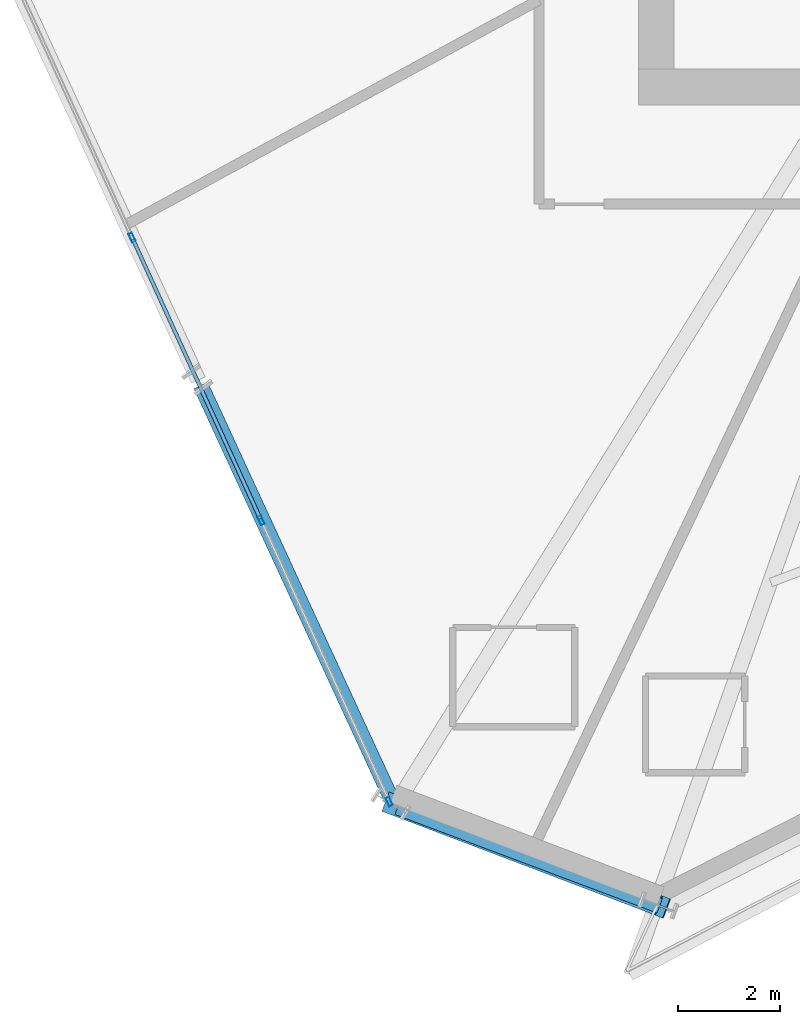
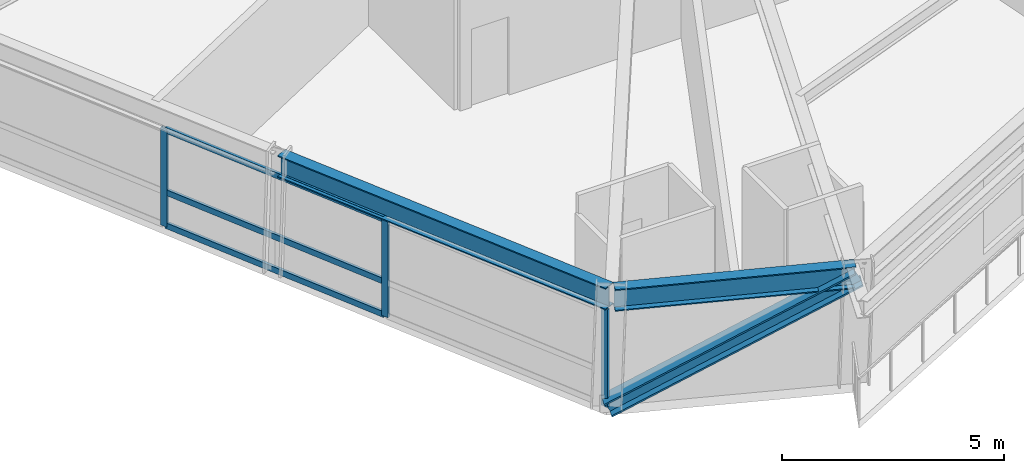
# One storey, part 2 of 21: 7 members, 2 beams, 1 element without a shape of its own.
"""IFC4 building model written with IfcOpenShell, lengths in metres."""

from ifc_helpers import new_model, si_unit, direction, frame, origin, origin_2d, place, context, subcontext, project, spatial, hollow_rectangle, i_section, extrude, source, transform, mapped, material, material_profile, profile_set, type_object, element, aggregate, save


model = new_model("IFC4")

# Units and contexts
model_context = context("Model", 3, precision=1e-05, world=origin(), true_north=direction((0.0, 1.0)))
body_context = subcontext(model_context, "Body", "Model", "MODEL_VIEW")
ifc_project = project(units=[si_unit("LENGTHUNIT", "METRE"), si_unit("AREAUNIT", "SQUARE_METRE"), si_unit("VOLUMEUNIT", "CUBIC_METRE"), si_unit("PLANEANGLEUNIT", "RADIAN"), si_unit("MASSUNIT", "GRAM", prefix="KILO")], contexts=[model_context])

# Site, building, storey
site_placement = place(None, origin())
site = spatial("IfcSite", under=ifc_project, at=site_placement, CompositionType="ELEMENT")
building_placement = place(site_placement, origin())
building = spatial("IfcBuilding", under=site, at=building_placement, Name="Olszyna Solenne Hotel", CompositionType="ELEMENT")
storey_placement = place(building_placement, frame((0.0, 0.0, 91.5)))
storey = spatial("IfcBuildingStorey", under=building, at=storey_placement, Name="L23", CompositionType="ELEMENT", Elevation=91.5)

# Beams
ifc_material_1 = material(Name="Steel S355J2", Category="steel")
ifc_material_profile_1 = material_profile(ifc_material_1, i_section(OverallWidth=0.300048828125, OverallDepth=0.60009765625, WebThickness=0.015380859375, FlangeThickness=0.030029296875, at=origin_2d()), Name="HEB 600", Category="load-bearing")
ifc_profile_set_1 = profile_set([ifc_material_profile_1], Name="Steel S355J2")
beam_type = type_object("IfcBeamType", Name="BM-S2", PredefinedType="BEAM", material=ifc_profile_set_1)
shared_shape_1 = source(origin(), body_context, "Body", "SweptSolid", [
    extrude(i_section(OverallWidth=0.300048828125, OverallDepth=0.60009765625, WebThickness=0.015380859375, FlangeThickness=0.030029296875, at=origin_2d()), origin(), (0.0, 0.0, 1.0), 5.500732421875),
])
beam_1_placement = place(storey_placement, frame((24.67236328125, 4.9951171875, 3.0), z_axis=(0.936062603118, -0.351833487668, 0.0), x_axis=(0.351833487668, 0.936062603118, 0.0)))
element("IfcBeam", 1, at=beam_1_placement, inside=storey, type_object=beam_type, Name="Perimeter spandrel beam BM-S2 B-L23-0699", PredefinedType="BEAM", context=body_context, shape_type="MappedRepresentation", body=[
    mapped(shared_shape_1, transform((0.0, 0.0, 0.0), x_axis=(1.0, 0.0, 0.0), y_axis=(0.0, 1.0, 0.0), z_axis=(0.0, 0.0, 1.0), scale=1.0)),
])
shared_shape_2 = source(origin(), body_context, "Body", "SweptSolid", [
    extrude(i_section(OverallWidth=0.300048828125, OverallDepth=0.60009765625, WebThickness=0.015380859375, FlangeThickness=0.030029296875, at=origin_2d()), origin(), (0.0, 0.0, 1.0), 9.04345703125),
])
beam_2_placement = place(storey_placement, frame((20.8037109375, 13.282958984375, 3.0), z_axis=(0.418796228427, -0.908080238225, 0.0), x_axis=(0.908080238225, 0.418796228427, 0.0)))
element("IfcBeam", 2, at=beam_2_placement, inside=storey, type_object=beam_type, Name="Perimeter spandrel beam BM-S2 B-L23-0698", PredefinedType="BEAM", context=body_context, shape_type="MappedRepresentation", body=[
    mapped(shared_shape_2, transform((0.0, 0.0, 0.0), x_axis=(1.0, 0.0, 0.0), y_axis=(0.0, 1.0, 0.0), z_axis=(0.0, 0.0, 1.0), scale=1.0)),
])

# Member
ifc_material_2 = material(Name="Steel S460M", Category="steel")
ifc_material_profile_2 = material_profile(ifc_material_2, i_section(OverallWidth=0.406005859375, OverallDepth=0.416015625, WebThickness=0.026611328125, FlangeThickness=0.04150390625, at=origin_2d()), Name="HD 400x382", Category="load-bearing")
ifc_profile_set_2 = profile_set([ifc_material_profile_2], Name="Steel S460M")
member_type_1 = type_object("IfcMemberType", Name="BR-T2", PredefinedType="BRACE", material=ifc_profile_set_2)
shared_shape_3 = source(origin(), body_context, "Body", "SweptSolid", [
    extrude(i_section(OverallWidth=0.406005859375, OverallDepth=0.416015625, WebThickness=0.026611328125, FlangeThickness=0.04150390625, at=origin_2d()), origin(), (0.0, 0.0, 1.0), 6.44873046875),
])
member_1_placement = place(storey_placement, frame((24.522216796875, 5.074951171875, 0.010009765625), z_axis=(0.830435709192, -0.315743506481, 0.45900171134), x_axis=(0.355392764267, 0.934717060456, 0.0)))
element("IfcMember", 3, at=member_1_placement, inside=storey, type_object=member_type_1, Name="Perimeter braced-tube diagonal BR-T2 BR-L23-3", PredefinedType="BRACE", context=body_context, shape_type="MappedRepresentation", body=[
    mapped(shared_shape_3, transform((0.0, 0.0, 0.0), x_axis=(1.0, 0.0, 0.0), y_axis=(0.0, 1.0, 0.0), z_axis=(0.0, 0.0, 1.0), scale=1.0)),
])

# Curtain wall, members
ifc_material_3 = material(Name="Anodised bronze aluminium", Category="aluminium")
curtain_wall_type = type_object("IfcCurtainWallType", Name="CW-SYS-3", PredefinedType="NOTDEFINED", material=ifc_material_3)
curtain_wall_placement = place(storey_placement, origin())
curtain_wall = element("IfcCurtainWall", 4, at=curtain_wall_placement, inside=storey, type_object=curtain_wall_type, Name="Unitised curtain wall CW-SYS-3 CW-L23-01", PredefinedType="NOTDEFINED")
ifc_material_profile_3 = material_profile(ifc_material_3, hollow_rectangle(XDim=0.074951171875, YDim=0.179931640625, WallThickness=0.00439453125, at=origin_2d()), Name="MULL 180x75x4.5", Category="load-bearing")
ifc_profile_set_3 = profile_set([ifc_material_profile_3], Name="Anodised bronze aluminium")
member_type_2 = type_object("IfcMemberType", Name="CW-M2", PredefinedType="MULLION", material=ifc_profile_set_3)
shared_shape_4 = source(origin(), body_context, "Body", "SweptSolid", [
    extrude(hollow_rectangle(XDim=0.074951171875, YDim=0.179931640625, WallThickness=0.00439453125, at=origin_2d()), origin(), (0.0, 0.0, 1.0), 2.69189453125),
])
member_2_placement = place(storey_placement, frame((19.453857421875, 16.19189453125, 0.0), z_axis=(0.0, 0.0, 1.0), x_axis=(0.909903789237, 0.414819351443, 0.0)))
member_2 = element("IfcMember", 5, at=member_2_placement, type_object=member_type_2, Name="Curtain-wall mullion CW-M2 CM-L23-01-02", PredefinedType="MULLION", context=body_context, shape_type="MappedRepresentation", body=[
    mapped(shared_shape_4, transform((0.0, 0.0, 0.0), x_axis=(1.0, 0.0, 0.0), y_axis=(0.0, 1.0, 0.0), z_axis=(0.0, 0.0, 1.0), scale=1.0)),
])
member_3_placement = place(storey_placement, frame((21.988037109375, 10.633544921875, 0.0), z_axis=(0.0, 0.0, 1.0), x_axis=(0.909903789237, 0.414819351443, 0.0)))
member_3 = element("IfcMember", 6, at=member_3_placement, type_object=member_type_2, Name="Curtain-wall mullion CW-M2 CM-L23-01-03", PredefinedType="MULLION", context=body_context, shape_type="MappedRepresentation", body=[
    mapped(shared_shape_4, transform((0.0, 0.0, 0.0), x_axis=(1.0, 0.0, 0.0), y_axis=(0.0, 1.0, 0.0), z_axis=(0.0, 0.0, 1.0), scale=1.0)),
])
member_4_placement = place(storey_placement, frame((24.506591796875, 5.109130859375, 0.0), z_axis=(0.0, 0.0, 1.0), x_axis=(0.909903789237, 0.414819351443, 0.0)))
member_4 = element("IfcMember", 7, at=member_4_placement, type_object=member_type_2, Name="Curtain-wall mullion CW-M2 CM-L23-01-04", PredefinedType="MULLION", context=body_context, shape_type="MappedRepresentation", body=[
    mapped(shared_shape_4, transform((0.0, 0.0, 0.0), x_axis=(1.0, 0.0, 0.0), y_axis=(0.0, 1.0, 0.0), z_axis=(0.0, 0.0, 1.0), scale=1.0)),
])
ifc_material_profile_4 = material_profile(ifc_material_3, hollow_rectangle(XDim=0.074951171875, YDim=0.159912109375, WallThickness=0.00390625, at=origin_2d()), Name="TRAN 160x75x4", Category="load-bearing")
ifc_profile_set_4 = profile_set([ifc_material_profile_4], Name="Anodised bronze aluminium")
member_type_3 = type_object("IfcMemberType", Name="CW-T1", PredefinedType="USERDEFINED", material=ifc_profile_set_4)
shared_shape_5 = source(origin(), body_context, "Body", "SweptSolid", [
    extrude(hollow_rectangle(XDim=0.074951171875, YDim=0.159912109375, WallThickness=0.00390625, at=origin_2d()), origin(), (0.0, 0.0, 1.0), 6.0341796875),
])
member_5_placement = place(storey_placement, frame((19.469482421875, 16.157958984375, 0.03759765625), z_axis=(0.414799517347, -0.909912831215, 0.0), x_axis=(0.909912831215, 0.414799517347, 0.0)))
member_5 = element("IfcMember", 8, at=member_5_placement, type_object=member_type_3, Name="Curtain-wall transom CW-T1 CT-L23-01-04", ObjectType="TRANSOM", PredefinedType="USERDEFINED", context=body_context, shape_type="MappedRepresentation", body=[
    mapped(shared_shape_5, transform((0.0, 0.0, 0.0), x_axis=(1.0, 0.0, 0.0), y_axis=(0.0, 1.0, 0.0), z_axis=(0.0, 0.0, 1.0), scale=1.0)),
])
member_6_placement = place(storey_placement, frame((19.469482421875, 16.157958984375, 0.949951171875), z_axis=(0.414799517347, -0.909912831215, 0.0), x_axis=(0.909912831215, 0.414799517347, 0.0)))
member_6 = element("IfcMember", 9, at=member_6_placement, type_object=member_type_3, Name="Curtain-wall transom CW-T1 CT-L23-01-05", ObjectType="TRANSOM", PredefinedType="USERDEFINED", context=body_context, shape_type="MappedRepresentation", body=[
    mapped(shared_shape_5, transform((0.0, 0.0, 0.0), x_axis=(1.0, 0.0, 0.0), y_axis=(0.0, 1.0, 0.0), z_axis=(0.0, 0.0, 1.0), scale=1.0)),
])
member_7_placement = place(storey_placement, frame((19.469482421875, 16.157958984375, 2.654541015625), z_axis=(0.414799517347, -0.909912831215, 0.0), x_axis=(0.909912831215, 0.414799517347, 0.0)))
member_7 = element("IfcMember", 10, at=member_7_placement, type_object=member_type_3, Name="Curtain-wall transom CW-T1 CT-L23-01-06", ObjectType="TRANSOM", PredefinedType="USERDEFINED", context=body_context, shape_type="MappedRepresentation", body=[
    mapped(shared_shape_5, transform((0.0, 0.0, 0.0), x_axis=(1.0, 0.0, 0.0), y_axis=(0.0, 1.0, 0.0), z_axis=(0.0, 0.0, 1.0), scale=1.0)),
])
aggregate(curtain_wall, [member_2, member_3, member_4, member_5, member_6, member_7])

save(model, "model.ifc")
